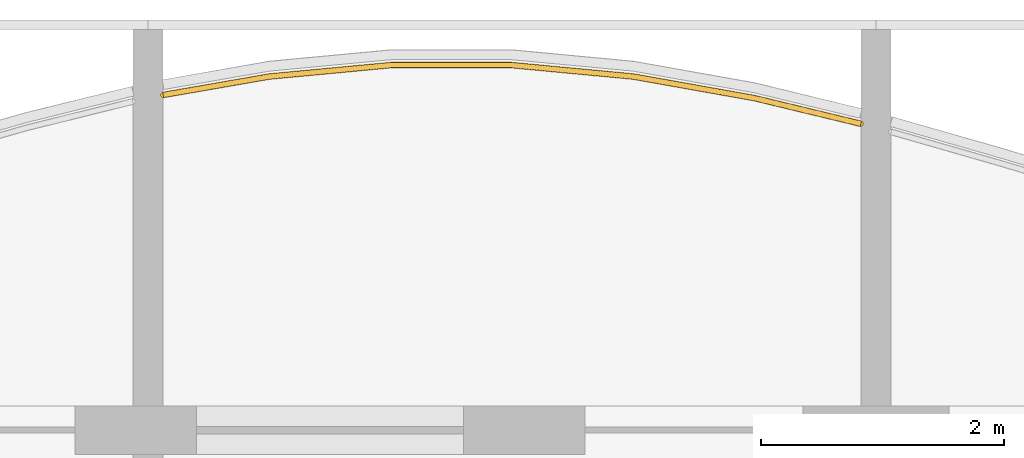
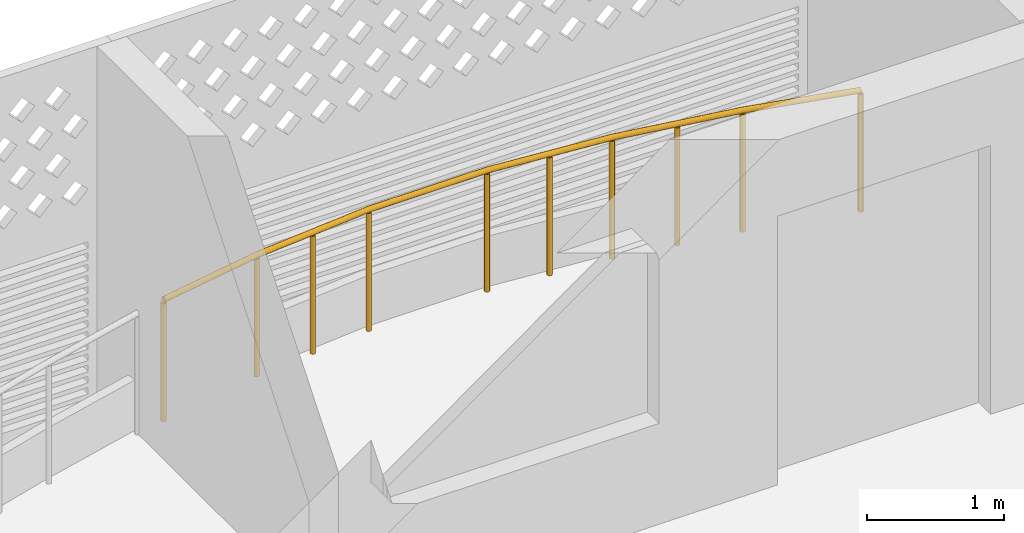
# One storey, part 18 of 27: 1 railing.
"""IFC4 building model written with IfcOpenShell, lengths in metres."""

from ifc_helpers import new_model, si_unit, direction, frame, origin, origin_2d, place, context, subcontext, project, spatial, circle, extrude, material, type_object, element, save


model = new_model("IFC4")

# Units and contexts
model_context = context("Model", 3, precision=1e-05, world=origin(), true_north=direction((0.0, 1.0)))
body_context = subcontext(model_context, "Body", "Model", "MODEL_VIEW")
ifc_project = project(units=[si_unit("LENGTHUNIT", "METRE"), si_unit("AREAUNIT", "SQUARE_METRE"), si_unit("VOLUMEUNIT", "CUBIC_METRE"), si_unit("PLANEANGLEUNIT", "RADIAN"), si_unit("MASSUNIT", "GRAM", prefix="KILO")], contexts=[model_context])

# Site, building, storey
site_placement = place(None, origin())
site = spatial("IfcSite", under=ifc_project, at=site_placement, CompositionType="ELEMENT")
building_placement = place(site_placement, origin())
building = spatial("IfcBuilding", under=site, at=building_placement, Name="Poui Terraces", CompositionType="ELEMENT")
storey_placement = place(building_placement, frame((0.0, 0.0, 201.60009765625)))
storey = spatial("IfcBuildingStorey", under=building, at=storey_placement, Name="L56", CompositionType="ELEMENT", Elevation=201.60009765625)

# Railing
ifc_material = material(Name="Painted steel fretwork", Category="steel")
railing_type = type_object("IfcRailingType", Name="BALCONY GUARD 1100", PredefinedType="GUARDRAIL", material=ifc_material)
railing_placement = place(storey_placement, frame((30.125, 43.962158203125, 0.0)))
element("IfcRailing", 1, at=railing_placement, inside=storey, type_object=railing_type, Name="BALCONY GUARD", PredefinedType="GUARDRAIL", context=body_context, shape_type="SweptSolid", body=[
    extrude(circle(Radius=0.02392578125, at=origin_2d()), frame((0.0, 0.0, 1.076171875), z_axis=(0.985272223663, 0.170993114709, 0.0), x_axis=(-0.170993114709, 0.985272223663, 0.0)), (0.0, 0.0, 1.0), 0.88818359375),
    extrude(circle(Radius=0.02392578125, at=origin_2d()), frame((0.875, 0.15185546875, 1.076171875), z_axis=(0.9956116077, 0.093581657462, 0.0), x_axis=(-0.093581657462, 0.9956116077, 0.0)), (0.0, 0.0, 1.0), 1.00439453125),
    extrude(circle(Radius=0.02392578125, at=origin_2d()), frame((1.875, 0.245849609375, 1.076171875), z_axis=(1.0, 0.0, 0.0), x_axis=(0.0, 1.0, 0.0)), (0.0, 0.0, 1.0), 1.0),
    extrude(circle(Radius=0.02392578125, at=origin_2d()), frame((2.875, 0.245849609375, 1.076171875), z_axis=(0.9956116077, -0.093581657462, 0.0), x_axis=(0.093581657462, 0.9956116077, 0.0)), (0.0, 0.0, 1.0), 1.00439453125),
    extrude(circle(Radius=0.02392578125, at=origin_2d()), frame((3.875, 0.15185546875, 1.076171875), z_axis=(0.984486939112, -0.175457877332, 0.0), x_axis=(0.175457877332, 0.984486939112, 0.0)), (0.0, 0.0, 1.0), 1.015869140625),
    extrude(circle(Radius=0.02392578125, at=origin_2d()), frame((4.875, -0.0263671875, 1.076171875), z_axis=(0.97215043642, -0.234357694494, 0.0), x_axis=(0.234357694494, 0.97215043642, 0.0)), (0.0, 0.0, 1.0), 0.900146484375),
    extrude(circle(Radius=0.02099609375, at=origin_2d()), origin(), (0.0, 0.0, 1.0), 1.052001953125),
    extrude(circle(Radius=0.02099609375, at=origin_2d()), frame((0.875, 0.15185546875, 0.0)), (0.0, 0.0, 1.0), 1.052001953125),
    extrude(circle(Radius=0.02099609375, at=origin_2d()), frame((1.375, 0.19873046875, 0.0)), (0.0, 0.0, 1.0), 1.052001953125),
    extrude(circle(Radius=0.02099609375, at=origin_2d()), frame((1.875, 0.245849609375, 0.0)), (0.0, 0.0, 1.0), 1.052001953125),
    extrude(circle(Radius=0.02099609375, at=origin_2d()), frame((2.875, 0.245849609375, 0.0)), (0.0, 0.0, 1.0), 1.052001953125),
    extrude(circle(Radius=0.02099609375, at=origin_2d()), frame((3.375, 0.19873046875, 0.0)), (0.0, 0.0, 1.0), 1.052001953125),
    extrude(circle(Radius=0.02099609375, at=origin_2d()), frame((3.875, 0.15185546875, 0.0)), (0.0, 0.0, 1.0), 1.052001953125),
    extrude(circle(Radius=0.02099609375, at=origin_2d()), frame((4.375, 0.062744140625, 0.0)), (0.0, 0.0, 1.0), 1.052001953125),
    extrude(circle(Radius=0.02099609375, at=origin_2d()), frame((4.875, -0.0263671875, 0.0)), (0.0, 0.0, 1.0), 1.052001953125),
    extrude(circle(Radius=0.02099609375, at=origin_2d()), frame((5.75, -0.2373046875, 0.0)), (0.0, 0.0, 1.0), 1.052001953125),
])

save(model, "model.ifc")
